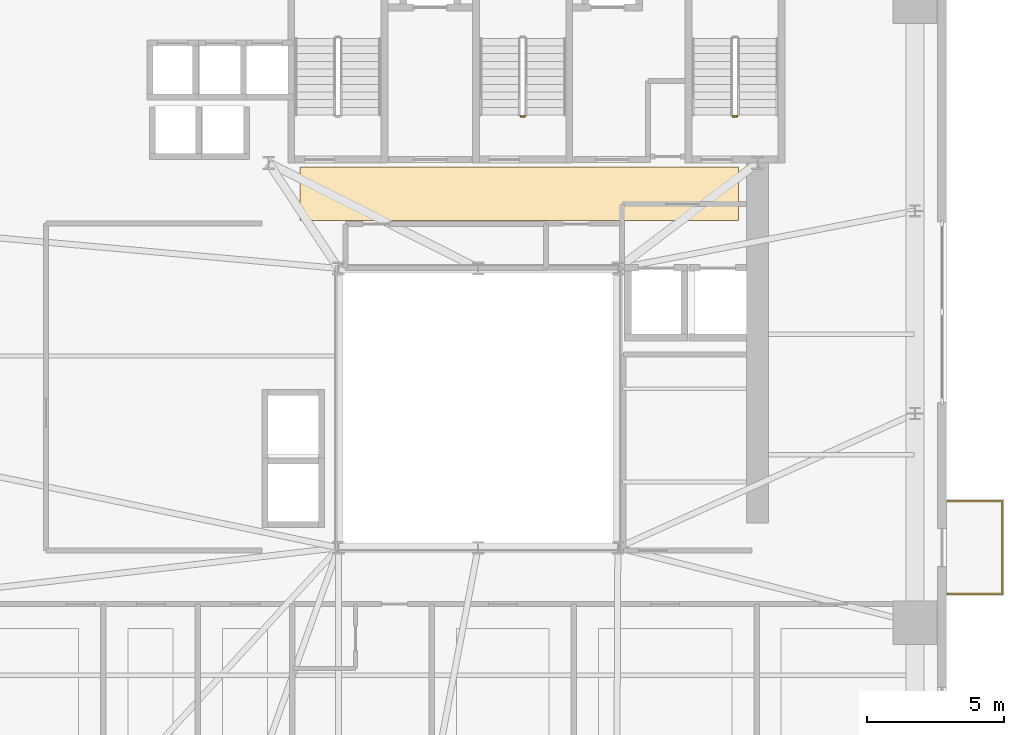
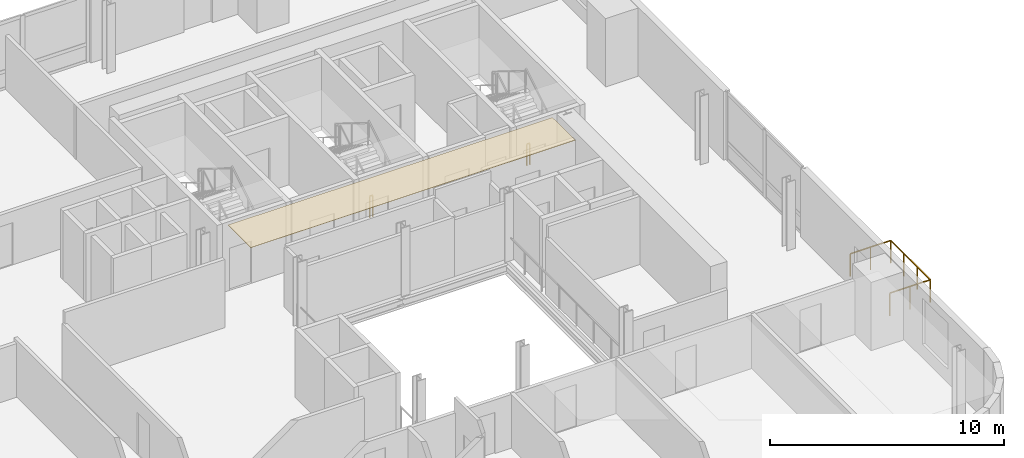
# One storey, part 12 of 14: 3 railings, 1 covering.
"""IFC4 building model written with IfcOpenShell, lengths in metres."""

import ifcopenshell
import ifcopenshell.guid

model = None  # the IFC model being written
_history = None  # IfcOwnerHistory: only IFC2X3 demands one
_inside = {}  # id of a spatial element -> (the spatial element, [elements in it])
_under = {}  # id of a project, library or spatial element -> (it, [spatial elements below it])
_declared = {}  # id of a project -> (the project, [libraries it declares])
_typed = {}  # id of a type object -> (the type object, [elements of that type])
_made_of = {}  # id of a material, layer set ... -> (it, [elements and type objects made of it])


def new_model(schema):
    """Start an empty IFC model of exactly this schema.

    Asked for "IFC4X3", IfcOpenShell would pick the latest addendum, in which some entities
    have other attributes; the version numbers below select the first issue.
    IFC2X3 requires an IfcOwnerHistory on every rooted entity: one is made here for all.
    """
    global model, _history
    if schema == "IFC4X3":
        model = ifcopenshell.file(schema_version=(4, 3, 0, 0))
    else:
        model = ifcopenshell.file(schema=schema)
    _inside.clear()
    _under.clear()
    _declared.clear()
    _typed.clear()
    _made_of.clear()
    _history = None
    if model.schema == "IFC2X3":
        org = make("IfcOrganization", Name="unknown")
        user = make(
            "IfcPersonAndOrganization",
            ThePerson=make("IfcPerson", FamilyName="unknown"),
            TheOrganization=org,
        )
        app = make(
            "IfcApplication",
            ApplicationDeveloper=org,
            Version="unknown",
            ApplicationFullName="unknown",
            ApplicationIdentifier="unknown",
        )
        _history = make(
            "IfcOwnerHistory",
            OwningUser=user,
            OwningApplication=app,
            ChangeAction="ADDED",
            CreationDate=0,
        )
    return model


def make(cls, **values):
    """One entity of the class cls with the attributes given. An attribute that is None is left unset."""
    return model.create_entity(
        cls, **{name: value for name, value in values.items() if value is not None}
    )


def rooted(cls, **values):
    """An entity with a GlobalId (a new one), such as an element, a storey or a relation."""
    return make(cls, GlobalId=ifcopenshell.guid.new(), OwnerHistory=_history, **values)


def si_unit(unit_type, name, prefix=None):
    """IfcSIUnit, for example si_unit("LENGTHUNIT", "METRE", prefix="MILLI")."""
    return make("IfcSIUnit", UnitType=unit_type, Prefix=prefix, Name=name)


def assignment(units):
    """IfcUnitAssignment: the units of a project."""
    return None if units is None else make("IfcUnitAssignment", Units=units)


def point(xyz):
    """IfcCartesianPoint."""
    return None if xyz is None else make("IfcCartesianPoint", Coordinates=xyz)


def direction(xyz):
    """IfcDirection."""
    return None if xyz is None else make("IfcDirection", DirectionRatios=xyz)


def frame(location, z_axis=None, x_axis=None):
    """IfcAxis2Placement3D, a coordinate frame: its origin and axes. An axis left out is left unset."""
    return make(
        "IfcAxis2Placement3D",
        Location=point(location),
        Axis=direction(z_axis),
        RefDirection=direction(x_axis),
    )


def frame_2d(location, x_axis=None):
    """IfcAxis2Placement2D, a coordinate frame in the plane: its origin and x axis."""
    return make(
        "IfcAxis2Placement2D", Location=point(location), RefDirection=direction(x_axis)
    )


def origin():
    """The frame at (0, 0, 0) with its axes left unset."""
    return frame((0.0, 0.0, 0.0))


def origin_2d():
    """The frame at (0, 0) in the plane with its x axis left unset."""
    return frame_2d((0.0, 0.0))


def place(relative_to, where):
    """IfcLocalPlacement: puts the frame where relative to a parent placement (None: the world)."""
    return make(
        "IfcLocalPlacement", PlacementRelTo=relative_to, RelativePlacement=where
    )


def context(
    kind, dimensions, precision=None, world=None, true_north=None, identifier=None
):
    """IfcGeometricRepresentationContext, for example the 3D "Model" context."""
    return make(
        "IfcGeometricRepresentationContext",
        ContextIdentifier=identifier,
        ContextType=kind,
        CoordinateSpaceDimension=dimensions,
        Precision=precision,
        WorldCoordinateSystem=world,
        TrueNorth=true_north,
    )


def subcontext(parent, identifier, kind, view, scale=None):
    """IfcGeometricRepresentationSubContext, for example "Body" below "Model"."""
    return make(
        "IfcGeometricRepresentationSubContext",
        ContextIdentifier=identifier,
        ContextType=kind,
        ParentContext=parent,
        TargetScale=scale,
        TargetView=view,
    )


def project(units=None, contexts=None):
    """IfcProject with its units and contexts."""
    return rooted(
        "IfcProject",
        Name="project",
        RepresentationContexts=contexts,
        UnitsInContext=assignment(units),
    )


def spatial(cls, under=None, at=None, **own):
    """A site, building, storey or space (cls), placed at a placement, below another one or the project."""
    s = rooted(cls, ObjectPlacement=at, **own)
    if under is not None:
        _under.setdefault(under.id(), (under, []))[1].append(s)
    return s


def polyline(points):
    """IfcPolyline through the points."""
    return make("IfcPolyline", Points=[point(p) for p in points])


def profile(cls, at=None, kind="AREA", **sizes):
    """A parametric profile (cls). Its sizes go by their IFC names, for example OverallWidth=200.0."""
    return make(cls, ProfileType=kind, Position=at, **sizes)


def rectangle(**sizes):
    """IfcRectangleProfileDef."""
    return profile("IfcRectangleProfileDef", **sizes)


def outline(outer, holes=None, kind="AREA"):
    """IfcArbitraryClosedProfileDef: a profile drawn as a closed curve; with holes, ...WithVoids."""
    if holes is None:
        return make("IfcArbitraryClosedProfileDef", ProfileType=kind, OuterCurve=outer)
    return make(
        "IfcArbitraryProfileDefWithVoids",
        ProfileType=kind,
        OuterCurve=outer,
        InnerCurves=holes,
    )


def extrude(swept, where, along, depth):
    """IfcExtrudedAreaSolid: the profile swept, set in the frame where, extruded along a direction by depth."""
    return make(
        "IfcExtrudedAreaSolid",
        SweptArea=swept,
        Position=where,
        ExtrudedDirection=direction(along),
        Depth=depth,
    )


def shape(context_of_items, identifier, shape_type, items):
    """IfcShapeRepresentation: the items that make up one representation, for example the "Body"."""
    return make(
        "IfcShapeRepresentation",
        ContextOfItems=context_of_items,
        RepresentationIdentifier=identifier,
        RepresentationType=shape_type,
        Items=items,
    )


def source(mapping_origin, context_of_items, identifier, shape_type, items):
    """IfcRepresentationMap: a shape defined once, which mapped items show again and again."""
    return make(
        "IfcRepresentationMap",
        MappingOrigin=mapping_origin,
        MappedRepresentation=shape(context_of_items, identifier, shape_type, items),
    )


def transform(
    local_origin,
    x_axis=None,
    y_axis=None,
    z_axis=None,
    scale=None,
    scale2=None,
    scale3=None,
    uniform=True,
):
    """IfcCartesianTransformationOperator3D, or its non-uniform kind. x_axis, y_axis, z_axis: its Axis1, 2, 3."""
    if uniform:
        return make(
            "IfcCartesianTransformationOperator3D",
            Axis1=direction(x_axis),
            Axis2=direction(y_axis),
            LocalOrigin=point(local_origin),
            Scale=scale,
            Axis3=direction(z_axis),
        )
    return make(
        "IfcCartesianTransformationOperator3DnonUniform",
        Axis1=direction(x_axis),
        Axis2=direction(y_axis),
        LocalOrigin=point(local_origin),
        Scale=scale,
        Axis3=direction(z_axis),
        Scale2=scale2,
        Scale3=scale3,
    )


def mapped(mapping_source, mapping_target):
    """IfcMappedItem: shows the shape of a source again, moved by a transform."""
    return make(
        "IfcMappedItem", MappingSource=mapping_source, MappingTarget=mapping_target
    )


def material(Name=None, Category=None):
    """IfcMaterial."""
    return make("IfcMaterial", Name=Name, Category=Category)


def layer(
    of_material, thickness, ventilated=None, Name=None, Category=None, Priority=None
):
    """IfcMaterialLayer: one layer of a wall or slab, of a material (None: an air gap)."""
    return make(
        "IfcMaterialLayer",
        Material=of_material,
        LayerThickness=thickness,
        IsVentilated=ventilated,
        Name=Name,
        Category=Category,
        Priority=Priority,
    )


def layer_set(layers, Name=None):
    """IfcMaterialLayerSet."""
    return make("IfcMaterialLayerSet", MaterialLayers=layers, LayerSetName=Name)


def made_of(thing, what):
    """Note that an element or type object is made of a material, layer set ...; save() writes the relation."""
    if what is not None:
        _made_of.setdefault(what.id(), (what, []))[1].append(thing)
    return thing


def type_object(cls, material=None, **own):
    """A type object (cls), such as IfcWallType, which elements share."""
    return made_of(rooted(cls, **own), material)


def element(
    cls,
    number,
    at=None,
    inside=None,
    cuts=None,
    type_object=None,
    material=None,
    context=None,
    identifier="Body",
    shape_type=None,
    held_by="IfcProductDefinitionShape",
    body=None,
    shapes=None,
    **own,
):
    """One element of the class cls, such as IfcWall. Its Tag is "e" and its number.

    at: its placement. inside: the storey or other place that contains it. cuts: it is an
    opening in that element (IfcRelVoidsElement). A single representation is given by context,
    identifier, shape_type and body (its items); several are given by shapes. held_by: the class
    of the entity that holds the representations. save() writes the other relations.
    """
    e = rooted(cls, Tag="e%d" % number, ObjectPlacement=at, **own)
    if body is not None:
        shapes = [shape(context, identifier, shape_type, body)]
    if shapes is not None:
        e.Representation = make(held_by, Representations=shapes)
    if inside is not None:
        _inside.setdefault(inside.id(), (inside, []))[1].append(e)
    if cuts is not None:
        rooted(
            "IfcRelVoidsElement", RelatingBuildingElement=cuts, RelatedOpeningElement=e
        )
    if type_object is not None:
        _typed.setdefault(type_object.id(), (type_object, []))[1].append(e)
    return made_of(e, material)


def aggregate(whole, parts):
    """IfcRelAggregates: a whole, such as a stair, and the parts it consists of."""
    return rooted("IfcRelAggregates", RelatingObject=whole, RelatedObjects=parts)


def save(model, path):
    """Write the relations noted so far, then the file.

    IfcRelAggregates (storeys below a building ...), IfcRelContainedInSpatialStructure (elements
    in a storey), IfcRelDefinesByType, IfcRelAssociatesMaterial and IfcRelDeclares: one each for
    every whole, place, type object, material and project.
    """
    for whole, parts in _under.values():
        aggregate(whole, parts)
    for where, things in _inside.values():
        rooted(
            "IfcRelContainedInSpatialStructure",
            RelatedElements=things,
            RelatingStructure=where,
        )
    for kind, things in _typed.values():
        rooted("IfcRelDefinesByType", RelatedObjects=things, RelatingType=kind)
    for what, things in _made_of.values():
        rooted("IfcRelAssociatesMaterial", RelatedObjects=things, RelatingMaterial=what)
    for by, libraries in _declared.values():
        rooted("IfcRelDeclares", RelatingContext=by, RelatedDefinitions=libraries)
    model.write(path)


model = new_model("IFC4")

# Units and contexts
model_context = context("Model", 3, precision=1e-05, world=origin(), true_north=direction((0.0, 1.0)))
body_context = subcontext(model_context, "Body", "Model", "MODEL_VIEW")
ifc_project = project(units=[si_unit("LENGTHUNIT", "METRE"), si_unit("AREAUNIT", "SQUARE_METRE"), si_unit("VOLUMEUNIT", "CUBIC_METRE"), si_unit("PLANEANGLEUNIT", "RADIAN"), si_unit("MASSUNIT", "GRAM", prefix="KILO")], contexts=[model_context])

# Site, building, storey
site_placement = place(None, origin())
site = spatial("IfcSite", under=ifc_project, at=site_placement, CompositionType="ELEMENT")
building_placement = place(site_placement, origin())
building = spatial("IfcBuilding", under=site, at=building_placement, Name="Vardaveli Station Tower", CompositionType="ELEMENT")
storey_placement = place(building_placement, frame((0.0, 0.0, 107.5)))
storey = spatial("IfcBuildingStorey", under=building, at=storey_placement, Name="L27", CompositionType="ELEMENT", Elevation=107.5)

# Covering
ifc_material_1 = material(Name="Perforated acoustic mineral ceiling")
ifc_layer = layer(ifc_material_1, 0.02001953125, Name="Perforated acoustic mineral ceiling")
ifc_layer_set = layer_set([ifc_layer], Name="Perforated acoustic mineral ceiling")
covering_type = type_object("IfcCoveringType", Name="COV-CEIL-AC20", PredefinedType="CEILING", material=ifc_layer_set)
covering_placement = place(storey_placement, frame((0.0, 0.0, 3.544921875)))
element("IfcCovering", 1, at=covering_placement, inside=storey, type_object=covering_type, Name="CEIL-L27-7", PredefinedType="CEILING", context=body_context, shape_type="SweptSolid", body=[
    extrude(outline(polyline([(29.800048828125, 28.550048828125), (45.800048828125, 28.550048828125), (45.800048828125, 30.5), (29.800048828125, 30.5), (29.800048828125, 28.550048828125)])), origin(), (0.0, 0.0, 1.0), 0.02001953125),
])

# Railings
ifc_material_2 = material(Name="Laminated glass and stainless steel balustrade", Category="steel")
railing_type_1 = type_object("IfcRailingType", Name="RL-BAL-1200", PredefinedType="BALUSTRADE", material=ifc_material_2)
shared_shape_1 = source(origin(), body_context, "Body", "SweptSolid", [
    extrude(rectangle(XDim=0.048095703125, YDim=0.048095703125, at=origin_2d()), frame((0.0, 0.0, 1.17578125), z_axis=(1.0, 0.0, 0.0), x_axis=(0.0, 1.0, 0.0)), (0.0, 0.0, 1.0), 2.0),
    extrude(rectangle(XDim=0.048095703125, YDim=0.048095703125, at=origin_2d()), frame((2.0, 0.0, 1.17578125), z_axis=(0.0, 1.0, 0.0), x_axis=(-1.0, 0.0, 0.0)), (0.0, 0.0, 1.0), 3.3798828125),
    extrude(rectangle(XDim=0.048095703125, YDim=0.048095703125, at=origin_2d()), frame((2.0, 3.3798828125, 1.17578125), z_axis=(-1.0, 0.0, 0.0), x_axis=(0.0, -1.0, 0.0)), (0.0, 0.0, 1.0), 2.0),
    extrude(rectangle(XDim=0.0419921875, YDim=0.0419921875, at=origin_2d()), origin(), (0.0, 0.0, 1.0), 1.15185546875),
    extrude(rectangle(XDim=0.0419921875, YDim=0.0419921875, at=origin_2d()), frame((1.0, 0.0, 0.0)), (0.0, 0.0, 1.0), 1.15185546875),
    extrude(rectangle(XDim=0.0419921875, YDim=0.0419921875, at=origin_2d()), frame((2.0, 0.0, 0.0)), (0.0, 0.0, 1.0), 1.15185546875),
    extrude(rectangle(XDim=0.0419921875, YDim=0.0419921875, at=origin_2d()), frame((2.0, 1.126708984375, 0.0)), (0.0, 0.0, 1.0), 1.15185546875),
    extrude(rectangle(XDim=0.0419921875, YDim=0.0419921875, at=origin_2d()), frame((2.0, 2.253173828125, 0.0)), (0.0, 0.0, 1.0), 1.15185546875),
    extrude(rectangle(XDim=0.0419921875, YDim=0.0419921875, at=origin_2d()), frame((2.0, 3.3798828125, 0.0)), (0.0, 0.0, 1.0), 1.15185546875),
    extrude(rectangle(XDim=0.0419921875, YDim=0.0419921875, at=origin_2d()), frame((1.0, 3.3798828125, 0.0)), (0.0, 0.0, 1.0), 1.15185546875),
    extrude(rectangle(XDim=0.0419921875, YDim=0.0419921875, at=origin_2d()), frame((0.0, 3.3798828125, 0.0)), (0.0, 0.0, 1.0), 1.15185546875),
])
railing_placement = place(storey_placement, frame((53.43994140625, 14.92041015625, 0.0)))
element("IfcRailing", 2, at=railing_placement, inside=storey, type_object=railing_type_1, Name="RL-LOG-L27-04", PredefinedType="BALUSTRADE", context=body_context, shape_type="MappedRepresentation", body=[
    mapped(shared_shape_1, transform((0.0, 0.0, 0.0), scale=1.0)),
])
ifc_material_3 = material(Name="Brushed AISI 316 stainless steel", Category="steel")
railing_type_2 = type_object("IfcRailingType", Name="RL-GUARD-1150", PredefinedType="GUARDRAIL", material=ifc_material_3)
shared_shape_2 = source(origin(), body_context, "Body", "SweptSolid", [
    extrude(rectangle(XDim=0.048095703125, YDim=0.048095703125, at=origin_2d()), frame((0.0, 0.0, 1.1259765625), z_axis=(-1.0, 0.0, 0.0), x_axis=(0.0, -1.0, 0.0)), (0.0, 0.0, 1.0), 0.14990234375),
    extrude(rectangle(XDim=0.0419921875, YDim=0.0419921875, at=origin_2d()), origin(), (0.0, 0.0, 1.0), 1.101806640625),
    extrude(rectangle(XDim=0.0419921875, YDim=0.0419921875, at=origin_2d()), frame((-0.14990234375, 0.0, 0.0)), (0.0, 0.0, 1.0), 1.101806640625),
])
for number, where, name in (
    (3, (38.0, 32.35009765625, 0.0), "L27 ST-2 stair guard 4"),
    (4, (45.75, 32.35009765625, 0.0), "L27 ST-3 stair guard 4"),
):
    element("IfcRailing", number, at=place(storey_placement, frame(where)), inside=storey, type_object=railing_type_2, Name=name, PredefinedType="GUARDRAIL", context=body_context, shape_type="MappedRepresentation", body=[
        mapped(shared_shape_2, transform((0.0, 0.0, 0.0), scale=1.0)),
    ])

save(model, "model.ifc")
